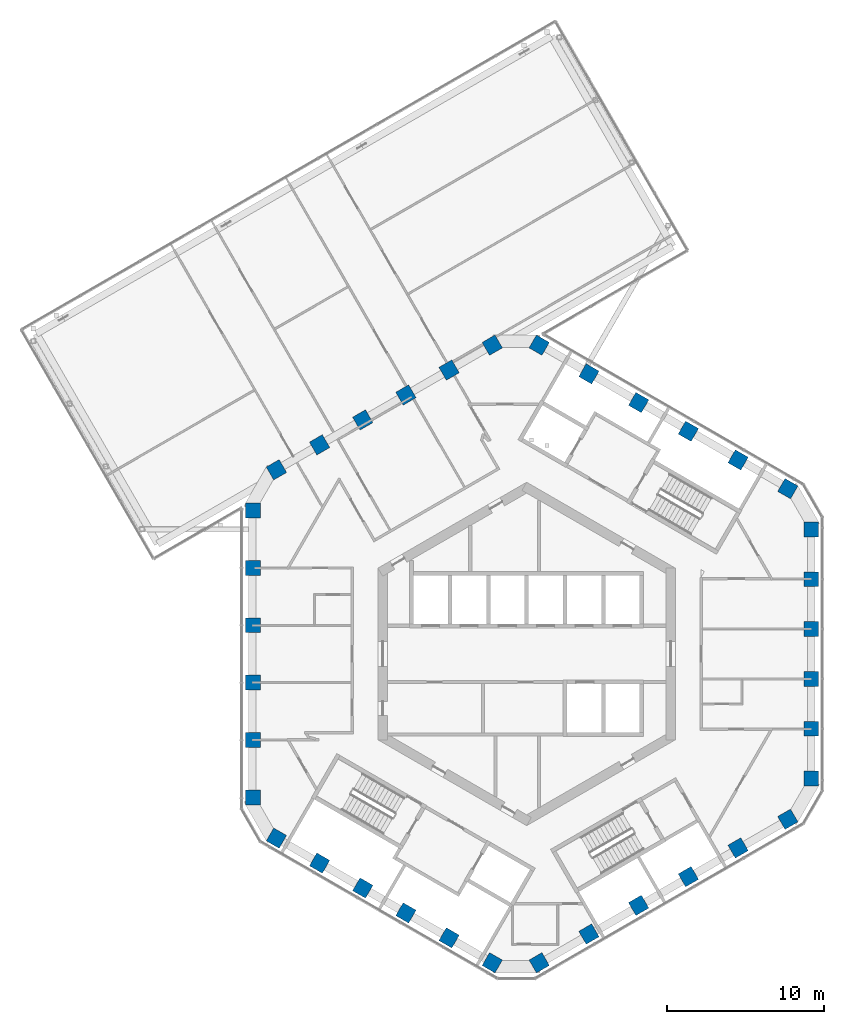
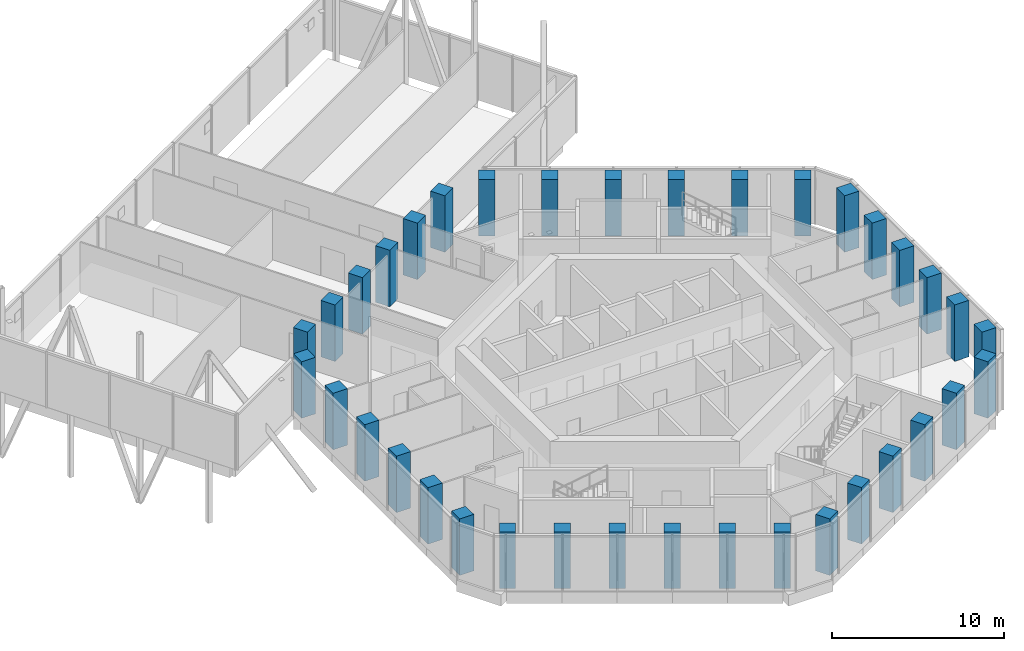
# One storey, part 1 of 21: 36 columns.
"""IFC4 building model written with IfcOpenShell, lengths in metres."""

from ifc_helpers import new_model, si_unit, direction, frame, origin, origin_2d, place, context, subcontext, project, spatial, rectangle, extrude, material, material_profile, profile_set, type_object, element, save


model = new_model("IFC4")

# Units and contexts
model_context = context("Model", 3, precision=1e-05, world=origin(), true_north=direction((0.0, 1.0)))
body_context = subcontext(model_context, "Body", "Model", "MODEL_VIEW")
ifc_project = project(units=[si_unit("LENGTHUNIT", "METRE"), si_unit("AREAUNIT", "SQUARE_METRE"), si_unit("VOLUMEUNIT", "CUBIC_METRE"), si_unit("PLANEANGLEUNIT", "RADIAN"), si_unit("MASSUNIT", "GRAM", prefix="KILO")], contexts=[model_context])

# Site, building, storey
site_placement = place(None, origin())
site = spatial("IfcSite", under=ifc_project, at=site_placement, CompositionType="ELEMENT")
building_placement = place(site_placement, origin())
building = spatial("IfcBuilding", under=site, at=building_placement, Name="Ayvan Gate Tower", CompositionType="ELEMENT")
storey_placement = place(building_placement, frame((0.0, 0.0, 190.699951171875)))
storey = spatial("IfcBuildingStorey", under=building, at=storey_placement, Name="L51", CompositionType="ELEMENT", Elevation=190.699951171875)

# Columns
ifc_material = material(Name="Concrete C55/67", Category="concrete")
ifc_material_profile = material_profile(ifc_material, rectangle(XDim=0.949951171875, YDim=0.949951171875, at=origin_2d()), Name="RC 950x950")
ifc_profile_set = profile_set([ifc_material_profile], Name="Concrete C55/67")
column_type = type_object("IfcColumnType", Name="Tube column RC 950x950 C55/67", PredefinedType="COLUMN", material=ifc_profile_set)
for number, where, z_axis, x_axis, name in (
    (1, (18.1865234375, -7.961669921875, 0.0), (0.0, 0.0, 1.0), (1.0, 0.0, 0.0), "C-T0-0-L51"),
    (2, (18.1865234375, -4.777099609375, 0.0), (0.0, 0.0, 1.0), (1.0, 0.0, 0.0), "C-T0-1-L51"),
    (3, (18.1865234375, -1.59228515625, 0.0), (0.0, 0.0, 1.0), (1.0, 0.0, 0.0), "C-T0-2-L51"),
    (4, (18.1865234375, 1.59228515625, 0.0), (0.0, 0.0, 1.0), (1.0, 0.0, 0.0), "C-T0-3-L51"),
    (5, (18.1865234375, 4.777099609375, 0.0), (0.0, 0.0, 1.0), (1.0, 0.0, 0.0), "C-T0-4-L51"),
    (6, (18.1865234375, 7.961669921875, 0.0), (0.0, 0.0, 1.0), (1.0, 0.0, 0.0), "C-T0-5-L51"),
    (7, (16.6865234375, 10.559814453125, 0.0), (0.0, 0.0, 1.0), (0.5, 0.866025403784, 0.0), "C-T1-0-L51"),
    (8, (13.509521484375, 12.39404296875, 0.0), (0.0, 0.0, 1.0), (0.5, 0.866025403784, 0.0), "C-T1-1-L51"),
    (9, (10.33251953125, 14.228271484375, 0.0), (0.0, 0.0, 1.0), (0.5, 0.866025403784, 0.0), "C-T1-2-L51"),
    (10, (7.15576171875, 16.0625, 0.0), (0.0, 0.0, 1.0), (0.5, 0.866025403784, 0.0), "C-T1-3-L51"),
    (11, (3.978759765625, 17.896728515625, 0.0), (0.0, 0.0, 1.0), (0.5, 0.866025403784, 0.0), "C-T1-4-L51"),
    (12, (0.8017578125, 19.73095703125, 0.0), (0.0, 0.0, 1.0), (0.5, 0.866025403784, 0.0), "C-T1-5-L51"),
    (13, (-2.1982421875, 19.73095703125, 0.0), (0.0, 0.0, 1.0), (-0.5, 0.866025403784, 0.0), "C-T2-0-L51"),
    (14, (-4.956298828125, 18.138427734375, 0.0), (0.0, 0.0, 1.0), (-0.5, 0.866025403784, 0.0), "C-T2-1-L51"),
    (15, (-7.71435546875, 16.546142578125, 0.0), (0.0, 0.0, 1.0), (-0.5, 0.866025403784, 0.0), "C-T2-2-L51"),
    (16, (-10.47216796875, 14.953857421875, 0.0), (0.0, 0.0, 1.0), (-0.5, 0.866025403784, 0.0), "C-T2-3-L51"),
    (17, (-13.230224609375, 13.361572265625, 0.0), (0.0, 0.0, 1.0), (-0.5, 0.866025403784, 0.0), "C-T2-4-L51"),
    (18, (-15.98828125, 11.76904296875, 0.0), (0.0, 0.0, 1.0), (-0.5, 0.866025403784, 0.0), "C-T2-5-L51"),
    (19, (-17.48828125, 9.171142578125, 0.0), (0.0, 0.0, 1.0), (-1.0, 0.0, 0.0), "C-T3-0-L51"),
    (20, (-17.48828125, 5.502685546875, 0.0), (0.0, 0.0, 1.0), (-1.0, 0.0, 0.0), "C-T3-1-L51"),
    (21, (-17.48828125, 1.834228515625, 0.0), (0.0, 0.0, 1.0), (-1.0, 0.0, 0.0), "C-T3-2-L51"),
    (22, (-17.48828125, -1.834228515625, 0.0), (0.0, 0.0, 1.0), (-1.0, 0.0, 0.0), "C-T3-3-L51"),
    (23, (-17.48828125, -5.502685546875, 0.0), (0.0, 0.0, 1.0), (-1.0, 0.0, 0.0), "C-T3-4-L51"),
    (24, (-17.48828125, -9.171142578125, 0.0), (0.0, 0.0, 1.0), (-1.0, 0.0, 0.0), "C-T3-5-L51"),
    (25, (-15.98828125, -11.76904296875, 0.0), (0.0, 0.0, 1.0), (-0.5, -0.866025403784, 0.0), "C-T4-0-L51"),
    (26, (-13.230224609375, -13.361572265625, 0.0), (0.0, 0.0, 1.0), (-0.5, -0.866025403784, 0.0), "C-T4-1-L51"),
    (27, (-10.47216796875, -14.953857421875, 0.0), (0.0, 0.0, 1.0), (-0.5, -0.866025403784, 0.0), "C-T4-2-L51"),
    (28, (-7.71435546875, -16.546142578125, 0.0), (0.0, 0.0, 1.0), (-0.5, -0.866025403784, 0.0), "C-T4-3-L51"),
    (29, (-4.956298828125, -18.138427734375, 0.0), (0.0, 0.0, 1.0), (-0.5, -0.866025403784, 0.0), "C-T4-4-L51"),
    (30, (-2.1982421875, -19.73095703125, 0.0), (0.0, 0.0, 1.0), (-0.5, -0.866025403784, 0.0), "C-T4-5-L51"),
    (31, (0.8017578125, -19.73095703125, 0.0), (0.0, 0.0, 1.0), (0.5, -0.866025403784, 0.0), "C-T5-0-L51"),
    (32, (3.978759765625, -17.896728515625, 0.0), (0.0, 0.0, 1.0), (0.5, -0.866025403784, 0.0), "C-T5-1-L51"),
    (33, (7.15576171875, -16.0625, 0.0), (0.0, 0.0, 1.0), (0.5, -0.866025403784, 0.0), "C-T5-2-L51"),
    (34, (10.33251953125, -14.228271484375, 0.0), (0.0, 0.0, 1.0), (0.5, -0.866025403784, 0.0), "C-T5-3-L51"),
    (35, (13.509521484375, -12.39404296875, 0.0), (0.0, 0.0, 1.0), (0.5, -0.866025403784, 0.0), "C-T5-4-L51"),
    (36, (16.6865234375, -10.559814453125, 0.0), (0.0, 0.0, 1.0), (0.5, -0.866025403784, 0.0), "C-T5-5-L51"),
):
    element("IfcColumn", number, at=place(storey_placement, frame(where, z_axis=z_axis, x_axis=x_axis)), inside=storey, type_object=column_type, Name=name, PredefinedType="COLUMN", context=body_context, shape_type="SweptSolid", body=[
        extrude(rectangle(XDim=0.949951171875, YDim=0.949951171875, at=origin_2d()), origin(), (0.0, 0.0, 1.0), 4.0),
    ])

save(model, "model.ifc")
